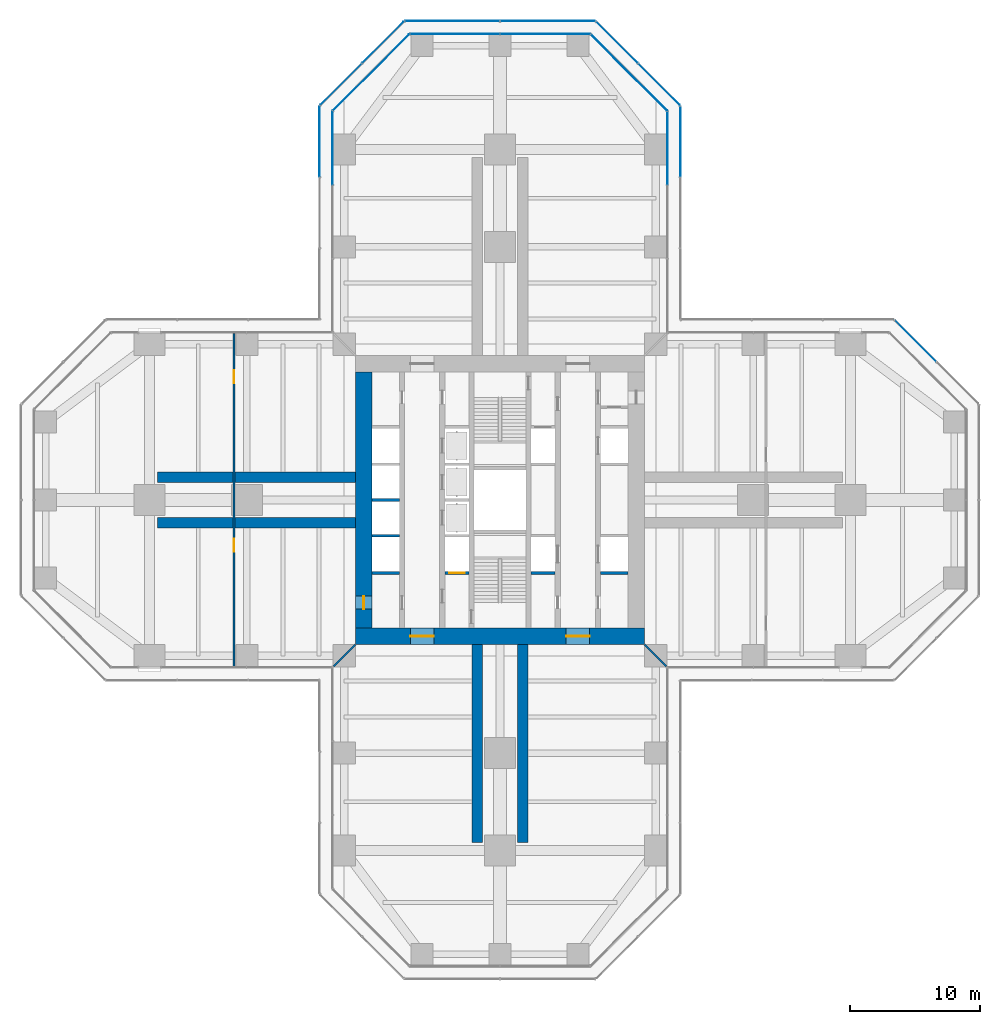
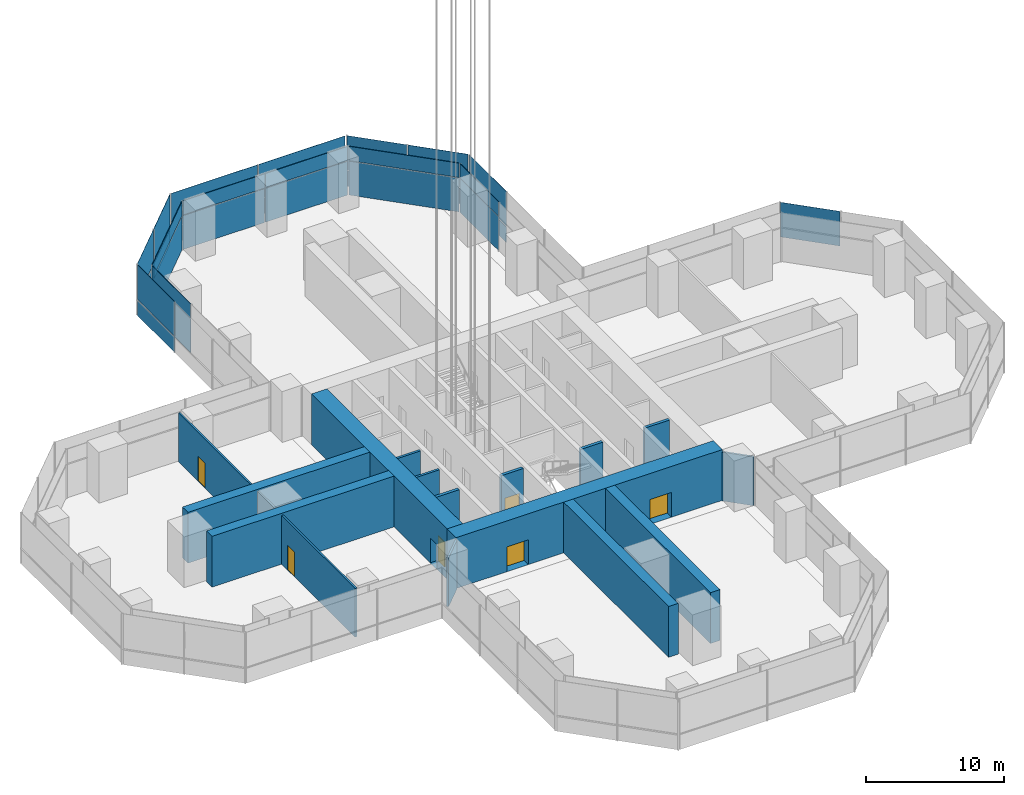
# One storey, part 16 of 27: 29 plates, 15 walls, 6 doors, 6 openings, 11 elements without a shape of their own.
"""IFC4 building model written with IfcOpenShell, lengths in metres."""

from ifc_helpers import new_model, si_unit, direction, frame, frame_2d, origin, origin_2d, place, context, subcontext, project, spatial, rectangle, extrude, material, layer, layer_set, type_object, element, fill, aggregate, save


model = new_model("IFC4")

# Units and contexts
model_context = context("Model", 3, precision=1e-05, world=origin(), true_north=direction((0.0, 1.0)))
body_context = subcontext(model_context, "Body", "Model", "MODEL_VIEW")
ifc_project = project(units=[si_unit("LENGTHUNIT", "METRE"), si_unit("AREAUNIT", "SQUARE_METRE"), si_unit("VOLUMEUNIT", "CUBIC_METRE"), si_unit("PLANEANGLEUNIT", "RADIAN"), si_unit("MASSUNIT", "GRAM", prefix="KILO")], contexts=[model_context])

# Site, building, storey
site_placement = place(None, origin())
site = spatial("IfcSite", under=ifc_project, at=site_placement, CompositionType="ELEMENT")
building_placement = place(site_placement, origin())
building = spatial("IfcBuilding", under=site, at=building_placement, Name="Mizan Broadcast Tower", CompositionType="ELEMENT")
storey_placement = place(building_placement, frame((0.0, 0.0, 113.699951171875)))
storey = spatial("IfcBuildingStorey", under=building, at=storey_placement, Name="L25", CompositionType="ELEMENT", Elevation=113.699951171875)

# Curtain wall, plate
ifc_material_1 = material(Name="Aluminium framed glazing", Category="aluminium")
curtain_wall_type_1 = type_object("IfcCurtainWallType", Name="INNER SKIN MID ZONE", PredefinedType="USERDEFINED", material=ifc_material_1)
curtain_wall_1_placement = place(storey_placement, origin())
curtain_wall_1 = element("IfcCurtainWall", 1, at=curtain_wall_1_placement, inside=storey, type_object=curtain_wall_type_1, Name="Inner skin mid zone L25 N side", ObjectType="INNER SKIN MID ZONE", PredefinedType="USERDEFINED")
ifc_material_2 = material(Name="Double glazing, clear low-e", Category="glass")
ifc_layer_1 = layer(ifc_material_2, 0.028076171875)
ifc_layer_set_1 = layer_set([ifc_layer_1], Name="Double glazing, clear low-e")
plate_type_1 = type_object("IfcPlateType", Name="INNER SKIN GLAZING UNIT", PredefinedType="CURTAIN_PANEL", material=ifc_layer_set_1)
plate_1_placement = place(storey_placement, frame((12.89990234375, 27.1005859375, 0.0), z_axis=(0.0, 0.0, 1.0), x_axis=(0.0, 1.0, 0.0)))
plate_1 = element("IfcPlate", 2, at=plate_1_placement, type_object=plate_type_1, Name="Inner skin mid zone L25 N side panel 3.1", PredefinedType="CURTAIN_PANEL", context=body_context, shape_type="SweptSolid", body=[
    extrude(rectangle(XDim=5.59619140625, YDim=0.028076171875, at=origin_2d()), origin(), (0.0, 0.0, 1.0), 3.0),
])

curtain_wall_2_placement = place(storey_placement, origin())
curtain_wall_2 = element("IfcCurtainWall", 3, at=curtain_wall_2_placement, inside=storey, type_object=curtain_wall_type_1, Name="Inner skin mid zone L25 N chamfer", ObjectType="INNER SKIN MID ZONE", PredefinedType="USERDEFINED")
plate_2_placement = place(storey_placement, frame((9.92919921875, 32.92919921875, 0.0), z_axis=(0.0, 0.0, 1.0), x_axis=(-0.707106781187, 0.707106781187, 0.0)))
plate_2 = element("IfcPlate", 4, at=plate_2_placement, type_object=plate_type_1, Name="Inner skin mid zone L25 N chamfer panel 1.1", PredefinedType="CURTAIN_PANEL", context=body_context, shape_type="SweptSolid", body=[
    extrude(rectangle(XDim=8.282470703125, YDim=0.028076171875, at=origin_2d()), origin(), (0.0, 0.0, 1.0), 3.0),
])

# Curtain wall, plates
curtain_wall_3_placement = place(storey_placement, origin())
curtain_wall_3 = element("IfcCurtainWall", 5, at=curtain_wall_3_placement, inside=storey, type_object=curtain_wall_type_1, Name="Inner skin mid zone L25 N end", ObjectType="INNER SKIN MID ZONE", PredefinedType="USERDEFINED")
plate_3_placement = place(storey_placement, frame((3.46435546875, 35.89990234375, 0.0), z_axis=(0.0, 0.0, 1.0), x_axis=(-1.0, 0.0, 0.0)))
plate_3 = element("IfcPlate", 6, at=plate_3_placement, type_object=plate_type_1, Name="Inner skin mid zone L25 N end panel 1.1", PredefinedType="CURTAIN_PANEL", context=body_context, shape_type="SweptSolid", body=[
    extrude(rectangle(XDim=6.86865234375, YDim=0.028076171875, at=origin_2d()), origin(), (0.0, 0.0, 1.0), 3.0),
])
plate_4_placement = place(storey_placement, frame((-3.46435546875, 35.89990234375, 0.0), z_axis=(0.0, 0.0, 1.0), x_axis=(-1.0, 0.0, 0.0)))
plate_4 = element("IfcPlate", 7, at=plate_4_placement, type_object=plate_type_1, Name="Inner skin mid zone L25 N end panel 2.1", PredefinedType="CURTAIN_PANEL", context=body_context, shape_type="SweptSolid", body=[
    extrude(rectangle(XDim=6.86865234375, YDim=0.028076171875, at=origin_2d()), origin(), (0.0, 0.0, 1.0), 3.0),
])

# Curtain wall, plate
curtain_wall_4_placement = place(storey_placement, origin())
curtain_wall_4 = element("IfcCurtainWall", 8, at=curtain_wall_4_placement, inside=storey, type_object=curtain_wall_type_1, Name="Inner skin mid zone L25 N chamfer", ObjectType="INNER SKIN MID ZONE", PredefinedType="USERDEFINED")
plate_5_placement = place(storey_placement, frame((-9.92919921875, 32.92919921875, 0.0), z_axis=(0.0, 0.0, 1.0), x_axis=(-0.707106781187, -0.707106781187, 0.0)))
plate_5 = element("IfcPlate", 9, at=plate_5_placement, type_object=plate_type_1, Name="Inner skin mid zone L25 N chamfer panel 1.1", PredefinedType="CURTAIN_PANEL", context=body_context, shape_type="SweptSolid", body=[
    extrude(rectangle(XDim=8.282470703125, YDim=0.028076171875, at=origin_2d()), origin(), (0.0, 0.0, 1.0), 3.0),
])

curtain_wall_5_placement = place(storey_placement, origin())
curtain_wall_5 = element("IfcCurtainWall", 10, at=curtain_wall_5_placement, inside=storey, type_object=curtain_wall_type_1, Name="Inner skin mid zone L25 N side", ObjectType="INNER SKIN MID ZONE", PredefinedType="USERDEFINED")
plate_6_placement = place(storey_placement, frame((-12.89990234375, 27.1005859375, 0.0), z_axis=(0.0, 0.0, 1.0), x_axis=(0.0, -1.0, 0.0)))
plate_6 = element("IfcPlate", 11, at=plate_6_placement, type_object=plate_type_1, Name="Inner skin mid zone L25 N side panel 1.1", PredefinedType="CURTAIN_PANEL", context=body_context, shape_type="SweptSolid", body=[
    extrude(rectangle(XDim=5.59619140625, YDim=0.028076171875, at=origin_2d()), origin(), (0.0, 0.0, 1.0), 3.0),
])

# Plate
ifc_material_3 = material(Name="Insulated aluminium spandrel panel, pale anodised", Category="aluminium")
ifc_layer_2 = layer(ifc_material_3, 0.050048828125)
ifc_layer_set_2 = layer_set([ifc_layer_2], Name="Insulated aluminium spandrel panel, pale anodised")
plate_type_2 = type_object("IfcPlateType", Name="INNER SKIN SPANDREL PANEL", PredefinedType="CURTAIN_PANEL", material=ifc_layer_set_2)
plate_7_placement = place(storey_placement, frame((12.89990234375, 27.1005859375, 3.06005859375), z_axis=(0.0, 0.0, 1.0), x_axis=(0.0, 1.0, 0.0)))
plate_7 = element("IfcPlate", 12, at=plate_7_placement, type_object=plate_type_2, Name="Inner skin mid zone L25 N side panel 3.2", PredefinedType="CURTAIN_PANEL", context=body_context, shape_type="SweptSolid", body=[
    extrude(rectangle(XDim=5.59619140625, YDim=0.050048828125, at=origin_2d()), origin(), (0.0, 0.0, 1.0), 1.260009765625),
])

aggregate(curtain_wall_1, [plate_1, plate_7])

plate_8_placement = place(storey_placement, frame((9.92919921875, 32.92919921875, 3.06005859375), z_axis=(0.0, 0.0, 1.0), x_axis=(-0.707106781187, 0.707106781187, 0.0)))
plate_8 = element("IfcPlate", 13, at=plate_8_placement, type_object=plate_type_2, Name="Inner skin mid zone L25 N chamfer panel 1.2", PredefinedType="CURTAIN_PANEL", context=body_context, shape_type="SweptSolid", body=[
    extrude(rectangle(XDim=8.282470703125, YDim=0.050048828125, at=origin_2d()), origin(), (0.0, 0.0, 1.0), 1.260009765625),
])

aggregate(curtain_wall_2, [plate_2, plate_8])

plate_9_placement = place(storey_placement, frame((3.46435546875, 35.89990234375, 3.06005859375), z_axis=(0.0, 0.0, 1.0), x_axis=(-1.0, 0.0, 0.0)))
plate_9 = element("IfcPlate", 14, at=plate_9_placement, type_object=plate_type_2, Name="Inner skin mid zone L25 N end panel 1.2", PredefinedType="CURTAIN_PANEL", context=body_context, shape_type="SweptSolid", body=[
    extrude(rectangle(XDim=6.86865234375, YDim=0.050048828125, at=origin_2d()), origin(), (0.0, 0.0, 1.0), 1.260009765625),
])

plate_10_placement = place(storey_placement, frame((-3.46435546875, 35.89990234375, 3.06005859375), z_axis=(0.0, 0.0, 1.0), x_axis=(-1.0, 0.0, 0.0)))
plate_10 = element("IfcPlate", 15, at=plate_10_placement, type_object=plate_type_2, Name="Inner skin mid zone L25 N end panel 2.2", PredefinedType="CURTAIN_PANEL", context=body_context, shape_type="SweptSolid", body=[
    extrude(rectangle(XDim=6.86865234375, YDim=0.050048828125, at=origin_2d()), origin(), (0.0, 0.0, 1.0), 1.260009765625),
])

aggregate(curtain_wall_3, [plate_3, plate_9, plate_4, plate_10])

plate_11_placement = place(storey_placement, frame((-9.92919921875, 32.92919921875, 3.06005859375), z_axis=(0.0, 0.0, 1.0), x_axis=(-0.707106781187, -0.707106781187, 0.0)))
plate_11 = element("IfcPlate", 16, at=plate_11_placement, type_object=plate_type_2, Name="Inner skin mid zone L25 N chamfer panel 1.2", PredefinedType="CURTAIN_PANEL", context=body_context, shape_type="SweptSolid", body=[
    extrude(rectangle(XDim=8.282470703125, YDim=0.050048828125, at=origin_2d()), origin(), (0.0, 0.0, 1.0), 1.260009765625),
])

aggregate(curtain_wall_4, [plate_5, plate_11])

plate_12_placement = place(storey_placement, frame((-12.89990234375, 27.1005859375, 3.06005859375), z_axis=(0.0, 0.0, 1.0), x_axis=(0.0, -1.0, 0.0)))
plate_12 = element("IfcPlate", 17, at=plate_12_placement, type_object=plate_type_2, Name="Inner skin mid zone L25 N side panel 1.2", PredefinedType="CURTAIN_PANEL", context=body_context, shape_type="SweptSolid", body=[
    extrude(rectangle(XDim=5.59619140625, YDim=0.050048828125, at=origin_2d()), origin(), (0.0, 0.0, 1.0), 1.260009765625),
])

aggregate(curtain_wall_5, [plate_6, plate_12])

# Curtain wall, plates
ifc_material_4 = material(Name="Aluminium framed glazing", Category="aluminium")
curtain_wall_type_2 = type_object("IfcCurtainWallType", Name="OUTER SKIN", PredefinedType="USERDEFINED", material=ifc_material_4)
curtain_wall_6_placement = place(storey_placement, origin())
curtain_wall_6 = element("IfcCurtainWall", 18, at=curtain_wall_6_placement, inside=storey, type_object=curtain_wall_type_2, Name="Outer skin L25 N side", ObjectType="OUTER SKIN", PredefinedType="USERDEFINED")
ifc_material_5 = material(Name="Laminated clear glass", Category="glass")
ifc_layer_3 = layer(ifc_material_5, 0.02001953125)
ifc_layer_set_3 = layer_set([ifc_layer_3], Name="Laminated clear glass")
plate_type_3 = type_object("IfcPlateType", Name="OUTER SKIN CLEAR GLASS", PredefinedType="CURTAIN_PANEL", material=ifc_layer_set_3)
plate_13_placement = place(storey_placement, frame((13.89990234375, 27.607421875, 0.0), z_axis=(0.0, 0.0, 1.0), x_axis=(0.0, 1.0, 0.0)))
plate_13 = element("IfcPlate", 19, at=plate_13_placement, type_object=plate_type_3, Name="Outer skin L25 N side panel 3.1", PredefinedType="CURTAIN_PANEL", context=body_context, shape_type="SweptSolid", body=[
    extrude(rectangle(XDim=5.370849609375, YDim=0.02001953125, at=origin_2d()), origin(), (0.0, 0.0, 1.0), 1.3701171875),
])
plate_14_placement = place(storey_placement, frame((13.89990234375, 27.607421875, 1.43017578125), z_axis=(0.0, 0.0, 1.0), x_axis=(0.0, 1.0, 0.0)))
plate_14 = element("IfcPlate", 20, at=plate_14_placement, type_object=plate_type_3, Name="Outer skin L25 N side panel 3.2", PredefinedType="CURTAIN_PANEL", context=body_context, shape_type="SweptSolid", body=[
    extrude(rectangle(XDim=5.370849609375, YDim=0.02001953125, at=origin_2d()), origin(), (0.0, 0.0, 1.0), 3.070068359375),
])
aggregate(curtain_wall_6, [plate_13, plate_14])

curtain_wall_7_placement = place(storey_placement, origin())
curtain_wall_7 = element("IfcCurtainWall", 21, at=curtain_wall_7_placement, inside=storey, type_object=curtain_wall_type_2, Name="Outer skin L25 N chamfer", ObjectType="OUTER SKIN", PredefinedType="USERDEFINED")
plate_15_placement = place(storey_placement, frame((12.254150390625, 32.018798828125, 0.0), z_axis=(0.0, 0.0, 1.0), x_axis=(-0.707106781187, 0.707106781187, 0.0)))
plate_15 = element("IfcPlate", 22, at=plate_15_placement, type_object=plate_type_3, Name="Outer skin L25 N chamfer panel 1.1", PredefinedType="CURTAIN_PANEL", context=body_context, shape_type="SweptSolid", body=[
    extrude(rectangle(XDim=4.495361328125, YDim=0.02001953125, at=origin_2d()), origin(), (0.0, 0.0, 1.0), 1.3701171875),
])
plate_16_placement = place(storey_placement, frame((12.254150390625, 32.018798828125, 1.43017578125), z_axis=(0.0, 0.0, 1.0), x_axis=(-0.707106781187, 0.707106781187, 0.0)))
plate_16 = element("IfcPlate", 23, at=plate_16_placement, type_object=plate_type_3, Name="Outer skin L25 N chamfer panel 1.2", PredefinedType="CURTAIN_PANEL", context=body_context, shape_type="SweptSolid", body=[
    extrude(rectangle(XDim=4.495361328125, YDim=0.02001953125, at=origin_2d()), origin(), (0.0, 0.0, 1.0), 3.070068359375),
])

curtain_wall_8_placement = place(storey_placement, origin())
curtain_wall_8 = element("IfcCurtainWall", 24, at=curtain_wall_8_placement, inside=storey, type_object=curtain_wall_type_2, Name="Outer skin L25 N end", ObjectType="OUTER SKIN", PredefinedType="USERDEFINED")
plate_17_placement = place(storey_placement, frame((3.66650390625, 36.89990234375, 0.0), z_axis=(0.0, 0.0, 1.0), x_axis=(-1.0, 0.0, 0.0)))
plate_17 = element("IfcPlate", 25, at=plate_17_placement, type_object=plate_type_3, Name="Outer skin L25 N end panel 1.1", PredefinedType="CURTAIN_PANEL", context=body_context, shape_type="SweptSolid", body=[
    extrude(rectangle(XDim=7.252685546875, YDim=0.02001953125, at=origin_2d()), origin(), (0.0, 0.0, 1.0), 1.3701171875),
])
plate_18_placement = place(storey_placement, frame((3.66650390625, 36.89990234375, 1.43017578125), z_axis=(0.0, 0.0, 1.0), x_axis=(-1.0, 0.0, 0.0)))
plate_18 = element("IfcPlate", 26, at=plate_18_placement, type_object=plate_type_3, Name="Outer skin L25 N end panel 1.2", PredefinedType="CURTAIN_PANEL", context=body_context, shape_type="SweptSolid", body=[
    extrude(rectangle(XDim=7.252685546875, YDim=0.02001953125, at=origin_2d()), origin(), (0.0, 0.0, 1.0), 3.070068359375),
])
plate_19_placement = place(storey_placement, frame((-3.66650390625, 36.89990234375, 0.0), z_axis=(0.0, 0.0, 1.0), x_axis=(-1.0, 0.0, 0.0)))
plate_19 = element("IfcPlate", 27, at=plate_19_placement, type_object=plate_type_3, Name="Outer skin L25 N end panel 2.1", PredefinedType="CURTAIN_PANEL", context=body_context, shape_type="SweptSolid", body=[
    extrude(rectangle(XDim=7.252685546875, YDim=0.02001953125, at=origin_2d()), origin(), (0.0, 0.0, 1.0), 1.3701171875),
])
plate_20_placement = place(storey_placement, frame((-3.66650390625, 36.89990234375, 1.43017578125), z_axis=(0.0, 0.0, 1.0), x_axis=(-1.0, 0.0, 0.0)))
plate_20 = element("IfcPlate", 28, at=plate_20_placement, type_object=plate_type_3, Name="Outer skin L25 N end panel 2.2", PredefinedType="CURTAIN_PANEL", context=body_context, shape_type="SweptSolid", body=[
    extrude(rectangle(XDim=7.252685546875, YDim=0.02001953125, at=origin_2d()), origin(), (0.0, 0.0, 1.0), 3.070068359375),
])
aggregate(curtain_wall_8, [plate_17, plate_18, plate_19, plate_20])

curtain_wall_9_placement = place(storey_placement, origin())
curtain_wall_9 = element("IfcCurtainWall", 29, at=curtain_wall_9_placement, inside=storey, type_object=curtain_wall_type_2, Name="Outer skin L25 N chamfer", ObjectType="OUTER SKIN", PredefinedType="USERDEFINED")
plate_21_placement = place(storey_placement, frame((-9.018798828125, 35.254150390625, 0.0), z_axis=(0.0, 0.0, 1.0), x_axis=(-0.707106781187, -0.707106781187, 0.0)))
plate_21 = element("IfcPlate", 30, at=plate_21_placement, type_object=plate_type_3, Name="Outer skin L25 N chamfer panel 1.1", PredefinedType="CURTAIN_PANEL", context=body_context, shape_type="SweptSolid", body=[
    extrude(rectangle(XDim=4.495361328125, YDim=0.02001953125, at=origin_2d()), origin(), (0.0, 0.0, 1.0), 1.3701171875),
])
plate_22_placement = place(storey_placement, frame((-9.018798828125, 35.254150390625, 1.43017578125), z_axis=(0.0, 0.0, 1.0), x_axis=(-0.707106781187, -0.707106781187, 0.0)))
plate_22 = element("IfcPlate", 31, at=plate_22_placement, type_object=plate_type_3, Name="Outer skin L25 N chamfer panel 1.2", PredefinedType="CURTAIN_PANEL", context=body_context, shape_type="SweptSolid", body=[
    extrude(rectangle(XDim=4.495361328125, YDim=0.02001953125, at=origin_2d()), origin(), (0.0, 0.0, 1.0), 3.070068359375),
])

curtain_wall_10_placement = place(storey_placement, origin())
curtain_wall_10 = element("IfcCurtainWall", 32, at=curtain_wall_10_placement, inside=storey, type_object=curtain_wall_type_2, Name="Outer skin L25 N side", ObjectType="OUTER SKIN", PredefinedType="USERDEFINED")
plate_23_placement = place(storey_placement, frame((-13.89990234375, 27.607421875, 0.0), z_axis=(0.0, 0.0, 1.0), x_axis=(0.0, -1.0, 0.0)))
plate_23 = element("IfcPlate", 33, at=plate_23_placement, type_object=plate_type_3, Name="Outer skin L25 N side panel 1.1", PredefinedType="CURTAIN_PANEL", context=body_context, shape_type="SweptSolid", body=[
    extrude(rectangle(XDim=5.370849609375, YDim=0.02001953125, at=origin_2d()), origin(), (0.0, 0.0, 1.0), 1.3701171875),
])
plate_24_placement = place(storey_placement, frame((-13.89990234375, 27.607421875, 1.43017578125), z_axis=(0.0, 0.0, 1.0), x_axis=(0.0, -1.0, 0.0)))
plate_24 = element("IfcPlate", 34, at=plate_24_placement, type_object=plate_type_3, Name="Outer skin L25 N side panel 1.2", PredefinedType="CURTAIN_PANEL", context=body_context, shape_type="SweptSolid", body=[
    extrude(rectangle(XDim=5.370849609375, YDim=0.02001953125, at=origin_2d()), origin(), (0.0, 0.0, 1.0), 3.070068359375),
])
aggregate(curtain_wall_10, [plate_23, plate_24])

# Curtain wall, plate
curtain_wall_11_placement = place(storey_placement, origin())
curtain_wall_11 = element("IfcCurtainWall", 35, at=curtain_wall_11_placement, inside=storey, type_object=curtain_wall_type_2, Name="Outer skin L25 E chamfer", ObjectType="OUTER SKIN", PredefinedType="USERDEFINED")
ifc_material_6 = material(Name="Perforated aluminium, pale anodised", Category="aluminium")
ifc_layer_4 = layer(ifc_material_6, 0.011962890625)
ifc_layer_set_4 = layer_set([ifc_layer_4], Name="Perforated aluminium, pale anodised")
plate_type_4 = type_object("IfcPlateType", Name="OUTER SKIN PERFORATED SCREEN", PredefinedType="USERDEFINED", material=ifc_layer_set_4)
plate_25_placement = place(storey_placement, frame((32.018798828125, 12.254150390625, 1.43017578125), z_axis=(0.0, 0.0, 1.0), x_axis=(-0.707106781187, 0.707106781187, 0.0)))
plate_25 = element("IfcPlate", 36, at=plate_25_placement, type_object=plate_type_4, Name="Outer skin L25 E chamfer panel 2.2", ObjectType="SCREEN", PredefinedType="USERDEFINED", context=body_context, shape_type="SweptSolid", body=[
    extrude(rectangle(XDim=4.495361328125, YDim=0.011962890625, at=origin_2d()), origin(), (0.0, 0.0, 1.0), 3.070068359375),
])
aggregate(curtain_wall_11, [plate_25])

# Plate
plate_26_placement = place(storey_placement, frame((9.018798828125, 35.254150390625, 0.0), z_axis=(0.0, 0.0, 1.0), x_axis=(-0.707106781187, 0.707106781187, 0.0)))
plate_26 = element("IfcPlate", 37, at=plate_26_placement, type_object=plate_type_4, Name="Outer skin L25 N chamfer panel 2.1", ObjectType="SCREEN", PredefinedType="USERDEFINED", context=body_context, shape_type="SweptSolid", body=[
    extrude(rectangle(XDim=4.495361328125, YDim=0.011962890625, at=origin_2d()), origin(), (0.0, 0.0, 1.0), 1.3701171875),
])

plate_27_placement = place(storey_placement, frame((9.018798828125, 35.254150390625, 1.43017578125), z_axis=(0.0, 0.0, 1.0), x_axis=(-0.707106781187, 0.707106781187, 0.0)))
plate_27 = element("IfcPlate", 38, at=plate_27_placement, type_object=plate_type_4, Name="Outer skin L25 N chamfer panel 2.2", ObjectType="SCREEN", PredefinedType="USERDEFINED", context=body_context, shape_type="SweptSolid", body=[
    extrude(rectangle(XDim=4.495361328125, YDim=0.011962890625, at=origin_2d()), origin(), (0.0, 0.0, 1.0), 3.070068359375),
])

aggregate(curtain_wall_7, [plate_15, plate_16, plate_26, plate_27])

plate_28_placement = place(storey_placement, frame((-12.254150390625, 32.018798828125, 0.0), z_axis=(0.0, 0.0, 1.0), x_axis=(-0.707106781187, -0.707106781187, 0.0)))
plate_28 = element("IfcPlate", 39, at=plate_28_placement, type_object=plate_type_4, Name="Outer skin L25 N chamfer panel 2.1", ObjectType="SCREEN", PredefinedType="USERDEFINED", context=body_context, shape_type="SweptSolid", body=[
    extrude(rectangle(XDim=4.495361328125, YDim=0.011962890625, at=origin_2d()), origin(), (0.0, 0.0, 1.0), 1.3701171875),
])

plate_29_placement = place(storey_placement, frame((-12.254150390625, 32.018798828125, 1.43017578125), z_axis=(0.0, 0.0, 1.0), x_axis=(-0.707106781187, -0.707106781187, 0.0)))
plate_29 = element("IfcPlate", 40, at=plate_29_placement, type_object=plate_type_4, Name="Outer skin L25 N chamfer panel 2.2", ObjectType="SCREEN", PredefinedType="USERDEFINED", context=body_context, shape_type="SweptSolid", body=[
    extrude(rectangle(XDim=4.495361328125, YDim=0.011962890625, at=origin_2d()), origin(), (0.0, 0.0, 1.0), 3.070068359375),
])

aggregate(curtain_wall_9, [plate_21, plate_22, plate_28, plate_29])

# Wall, openings, doors
ifc_material_7 = material(Name="Concrete C70/85", Category="concrete")
ifc_layer_5 = layer(ifc_material_7, 1.300048828125)
ifc_layer_set_5 = layer_set([ifc_layer_5], Name="Concrete C70/85")
wall_type_1 = type_object("IfcWallType", Name="CORE WALL 1300", PredefinedType="SHEAR", material=ifc_layer_set_5)
wall_1_placement = place(storey_placement, frame((11.14990234375, -10.5, 0.0), z_axis=(0.0, 0.0, 1.0), x_axis=(-1.0, 0.0, 0.0)))
wall_1 = element("IfcWall", 41, at=wall_1_placement, inside=storey, type_object=wall_type_1, Name="Core wall S L25", PredefinedType="SHEAR", context=body_context, shape_type="SweptSolid", body=[
    extrude(rectangle(XDim=22.2998046875, YDim=1.300048828125, at=frame_2d((11.14990234375, 0.0))), origin(), (0.0, 0.0, 1.0), 4.5),
])
opening_1_placement = place(wall_1_placement, frame((16.25, 0.0, 0.0)))
opening_1 = element("IfcOpeningElement", 42, at=opening_1_placement, cuts=wall_1, Name="Opening D18F", PredefinedType="OPENING", context=body_context, shape_type="SweptSolid", body=[
    extrude(rectangle(XDim=1.800048828125, YDim=2.199951171875, at=frame_2d((0.89990234375, 1.10009765625))), frame((0.0, 0.659912109375, 0.0), z_axis=(0.0, -1.0, 0.0), x_axis=(1.0, 0.0, 0.0)), (0.0, 0.0, 1.0), 1.320068359375),
])
opening_2_placement = place(wall_1_placement, frame((4.25, 0.0, 0.0)))
opening_2 = element("IfcOpeningElement", 43, at=opening_2_placement, cuts=wall_1, Name="Opening D18F", PredefinedType="OPENING", context=body_context, shape_type="SweptSolid", body=[
    extrude(rectangle(XDim=1.800048828125, YDim=2.199951171875, at=frame_2d((0.89990234375, 1.10009765625))), frame((0.0, 0.659912109375, 0.0), z_axis=(0.0, -1.0, 0.0), x_axis=(1.0, 0.0, 0.0)), (0.0, 0.0, 1.0), 1.320068359375),
])
ifc_material_8 = material(Name="Steel door leaf in steel frame", Category="steel")
door_type_1 = type_object("IfcDoorType", Name="LOBBY DOUBLE DOOR 1800 FD90", OperationType="DOUBLE_DOOR_DOUBLE_SWING", PredefinedType="DOOR", material=ifc_material_8)
door_1_placement = place(opening_1_placement, origin())
door_1 = element("IfcDoor", 44, at=door_1_placement, inside=storey, type_object=door_type_1, Name="West lift lobby south door", OperationType="DOUBLE_DOOR_DOUBLE_SWING", OverallHeight=2.199951171875, OverallWidth=1.800048828125, PredefinedType="DOOR", context=body_context, shape_type="SweptSolid", body=[
    extrude(rectangle(XDim=1.800048828125, YDim=2.199951171875, at=frame_2d((0.89990234375, 1.10009765625))), frame((0.0, 0.02490234375, 0.0), z_axis=(0.0, -1.0, 0.0), x_axis=(1.0, 0.0, 0.0)), (0.0, 0.0, 1.0), 0.050048828125),
])
fill(opening_1, door_1)
door_2_placement = place(opening_2_placement, origin())
door_2 = element("IfcDoor", 45, at=door_2_placement, inside=storey, type_object=door_type_1, Name="East lift lobby south door", OperationType="DOUBLE_DOOR_DOUBLE_SWING", OverallHeight=2.199951171875, OverallWidth=1.800048828125, PredefinedType="DOOR", context=body_context, shape_type="SweptSolid", body=[
    extrude(rectangle(XDim=1.800048828125, YDim=2.199951171875, at=frame_2d((0.89990234375, 1.10009765625))), frame((0.0, 0.02490234375, 0.0), z_axis=(0.0, -1.0, 0.0), x_axis=(1.0, 0.0, 0.0)), (0.0, 0.0, 1.0), 0.050048828125),
])
fill(opening_2, door_2)

# Wall, opening, door
wall_2_placement = place(storey_placement, frame((-10.5, 9.85009765625, 0.0), z_axis=(0.0, 0.0, 1.0), x_axis=(0.0, -1.0, 0.0)))
wall_2 = element("IfcWall", 46, at=wall_2_placement, inside=storey, type_object=wall_type_1, Name="Core wall W L25", PredefinedType="SHEAR", context=body_context, shape_type="SweptSolid", body=[
    extrude(rectangle(XDim=19.7001953125, YDim=1.300048828125, at=frame_2d((9.85009765625, 0.0))), origin(), (0.0, 0.0, 1.0), 4.5),
])
opening_3_placement = place(wall_2_placement, frame((17.25, 0.0, 0.0)))
opening_3 = element("IfcOpeningElement", 47, at=opening_3_placement, cuts=wall_2, Name="Opening D10F", PredefinedType="OPENING", context=body_context, shape_type="SweptSolid", body=[
    extrude(rectangle(XDim=1.0, YDim=2.199951171875, at=frame_2d((0.5, 1.10009765625))), frame((0.0, 0.659912109375, 0.0), z_axis=(0.0, -1.0, 0.0), x_axis=(1.0, 0.0, 0.0)), (0.0, 0.0, 1.0), 1.320068359375),
])
ifc_material_9 = material(Name="Steel door leaf in steel frame", Category="steel")
door_type_2 = type_object("IfcDoorType", Name="FIRE DOOR 1000 FD90", OperationType="SINGLE_SWING_LEFT", PredefinedType="DOOR", material=ifc_material_9)
door_3_placement = place(opening_3_placement, origin())
door_3 = element("IfcDoor", 48, at=door_3_placement, inside=storey, type_object=door_type_2, Name="West core passage arm door", OperationType="SINGLE_SWING_RIGHT", OverallHeight=2.199951171875, OverallWidth=1.0, PredefinedType="DOOR", context=body_context, shape_type="SweptSolid", body=[
    extrude(rectangle(XDim=1.0, YDim=2.199951171875, at=frame_2d((0.5, 1.10009765625))), frame((0.0, 0.02490234375, 0.0), z_axis=(0.0, -1.0, 0.0), x_axis=(1.0, 0.0, 0.0)), (0.0, 0.0, 1.0), 0.050048828125),
])
fill(opening_3, door_3)

# Walls
ifc_material_10 = material(Name="Concrete blockwork", Category="masonry")
ifc_layer_6 = layer(ifc_material_10, 0.199951171875)
ifc_layer_set_6 = layer_set([ifc_layer_6], Name="Concrete blockwork")
wall_type_2 = type_object("IfcWallType", Name="LIFT SHAFT WALL 200", PredefinedType="SOLIDWALL", material=ifc_layer_set_6)
for number, where, z_axis, x_axis, name in (
    (49, (-9.85009765625, -2.75, 0.0), (0.0, 0.0, 1.0), (1.0, 0.0, 0.0), "Lift shaft wall CORE/SW1-1"),
    (50, (-9.85009765625, 0.0, 0.0), (0.0, 0.0, 1.0), (1.0, 0.0, 0.0), "Lift shaft wall CORE/SW1-2"),
):
    element("IfcWall", number, at=place(storey_placement, frame(where, z_axis=z_axis, x_axis=x_axis)), inside=storey, type_object=wall_type_2, Name=name, PredefinedType="SOLIDWALL", context=body_context, shape_type="SweptSolid", body=[
        extrude(rectangle(XDim=2.10009765625, YDim=0.199951171875, at=frame_2d((1.050048828125, 0.0))), origin(), (0.0, 0.0, 1.0), 4.300048828125),
    ])
ifc_material_11 = material(Name="Concrete blockwork", Category="masonry")
ifc_layer_7 = layer(ifc_material_11, 0.25)
ifc_layer_set_7 = layer_set([ifc_layer_7], Name="Concrete blockwork")
wall_type_3 = type_object("IfcWallType", Name="LOBBY ENCLOSURE WALL 250", PredefinedType="SOLIDWALL", material=ifc_layer_set_7)
wall_3_placement = place(storey_placement, frame((-9.85009765625, -5.625, 0.0), z_axis=(0.0, 0.0, 1.0), x_axis=(1.0, 0.0, 0.0)))
element("IfcWall", 51, at=wall_3_placement, inside=storey, type_object=wall_type_3, Name="Lobby enclosure wall CORE/BW1S", PredefinedType="SOLIDWALL", context=body_context, shape_type="SweptSolid", body=[
    extrude(rectangle(XDim=2.10009765625, YDim=0.25, at=frame_2d((1.050048828125, 0.0))), origin(), (0.0, 0.0, 1.0), 4.300048828125),
])

# Wall, opening, door
wall_4_placement = place(storey_placement, frame((-4.25, -5.625, 0.0), z_axis=(0.0, 0.0, 1.0), x_axis=(1.0, 0.0, 0.0)))
wall_4 = element("IfcWall", 52, at=wall_4_placement, inside=storey, type_object=wall_type_3, Name="Lobby enclosure wall CORE/BW2S", PredefinedType="SOLIDWALL", context=body_context, shape_type="SweptSolid", body=[
    extrude(rectangle(XDim=1.85009765625, YDim=0.25, at=frame_2d((0.925048828125, 0.0))), origin(), (0.0, 0.0, 1.0), 4.300048828125),
])
opening_4_placement = place(wall_4_placement, frame((0.324951171875, 0.0, 0.0)))
opening_4 = element("IfcOpeningElement", 53, at=opening_4_placement, cuts=wall_4, Name="Opening LDF", PredefinedType="OPENING", context=body_context, shape_type="SweptSolid", body=[
    extrude(rectangle(XDim=1.199951171875, YDim=2.199951171875, at=frame_2d((0.60009765625, 1.10009765625))), frame((0.0, 0.135009765625, 0.0), z_axis=(0.0, -1.0, 0.0), x_axis=(1.0, 0.0, 0.0)), (0.0, 0.0, 1.0), 0.27001953125),
])
ifc_material_12 = material(Name="Steel door leaf in steel frame", Category="steel")
door_type_3 = type_object("IfcDoorType", Name="FIREFIGHTING LIFT LANDING DOOR 1200", OperationType="SLIDING_TO_LEFT", PredefinedType="DOOR", material=ifc_material_12)
door_4_placement = place(opening_4_placement, origin())
door_4 = element("IfcDoor", 54, at=door_4_placement, inside=storey, type_object=door_type_3, Name="Landing door FF1", OperationType="SLIDING_TO_LEFT", OverallHeight=2.199951171875, OverallWidth=1.199951171875, PredefinedType="DOOR", context=body_context, shape_type="SweptSolid", body=[
    extrude(rectangle(XDim=1.199951171875, YDim=2.199951171875, at=frame_2d((0.60009765625, 1.10009765625))), frame((0.0, 0.02490234375, 0.0), z_axis=(0.0, -1.0, 0.0), x_axis=(1.0, 0.0, 0.0)), (0.0, 0.0, 1.0), 0.050048828125),
])
fill(opening_4, door_4)

# Walls
wall_5_placement = place(storey_placement, frame((2.39990234375, -5.625, 0.0), z_axis=(0.0, 0.0, 1.0), x_axis=(1.0, 0.0, 0.0)))
element("IfcWall", 55, at=wall_5_placement, inside=storey, type_object=wall_type_3, Name="Lobby enclosure wall CORE/BE2S", PredefinedType="SOLIDWALL", context=body_context, shape_type="SweptSolid", body=[
    extrude(rectangle(XDim=1.85009765625, YDim=0.25, at=frame_2d((0.925048828125, 0.0))), origin(), (0.0, 0.0, 1.0), 4.300048828125),
])
wall_6_placement = place(storey_placement, frame((7.75, -5.625, 0.0), z_axis=(0.0, 0.0, 1.0), x_axis=(1.0, 0.0, 0.0)))
element("IfcWall", 56, at=wall_6_placement, inside=storey, type_object=wall_type_3, Name="Lobby enclosure wall CORE/BE1S", PredefinedType="SOLIDWALL", context=body_context, shape_type="SweptSolid", body=[
    extrude(rectangle(XDim=2.10009765625, YDim=0.25, at=frame_2d((1.050048828125, 0.0))), origin(), (0.0, 0.0, 1.0), 4.300048828125),
])

# Wall, openings, doors
ifc_material_13 = material(Name="Gypsum board on steel studs", Category="steel")
ifc_layer_8 = layer(ifc_material_13, 0.14990234375)
ifc_layer_set_8 = layer_set([ifc_layer_8], Name="Gypsum board on steel studs")
wall_type_4 = type_object("IfcWallType", Name="PARTITION 150", PredefinedType="PARTITIONING", material=ifc_layer_set_8)
wall_7_placement = place(storey_placement, frame((-20.5, 12.820068359375, 0.0), z_axis=(0.0, 0.0, 1.0), x_axis=(0.0, -1.0, 0.0)))
wall_7 = element("IfcWall", 57, at=wall_7_placement, inside=storey, type_object=wall_type_4, Name="Partition PT/WX1", PredefinedType="PARTITIONING", context=body_context, shape_type="SweptSolid", body=[
    extrude(rectangle(XDim=25.64013671875, YDim=0.14990234375, at=frame_2d((12.820068359375, 0.0))), origin(), (0.0, 0.0, 1.0), 4.320068359375),
])
opening_5_placement = place(wall_7_placement, frame((15.820068359375, 0.0, 0.0)))
opening_5 = element("IfcOpeningElement", 58, at=opening_5_placement, cuts=wall_7, Name="Opening D10", PredefinedType="OPENING", context=body_context, shape_type="SweptSolid", body=[
    extrude(rectangle(XDim=1.0, YDim=2.199951171875, at=frame_2d((0.5, 1.10009765625))), frame((0.0, 0.0849609375, 0.0), z_axis=(0.0, -1.0, 0.0), x_axis=(1.0, 0.0, 0.0)), (0.0, 0.0, 1.0), 0.169921875),
])
opening_6_placement = place(wall_7_placement, frame((2.820068359375, 0.0, 0.0)))
opening_6 = element("IfcOpeningElement", 59, at=opening_6_placement, cuts=wall_7, Name="Opening D10", PredefinedType="OPENING", context=body_context, shape_type="SweptSolid", body=[
    extrude(rectangle(XDim=1.0, YDim=2.199951171875, at=frame_2d((0.5, 1.10009765625))), frame((0.0, 0.0849609375, 0.0), z_axis=(0.0, -1.0, 0.0), x_axis=(1.0, 0.0, 0.0)), (0.0, 0.0, 1.0), 0.169921875),
])
ifc_material_14 = material(Name="Timber door leaf in aluminium frame", Category="wood")
door_type_4 = type_object("IfcDoorType", Name="ROOM DOOR 1000", OperationType="SINGLE_SWING_LEFT", PredefinedType="DOOR", material=ifc_material_14)
door_5_placement = place(opening_5_placement, origin())
door_5 = element("IfcDoor", 60, at=door_5_placement, inside=storey, type_object=door_type_4, Name="Business library door", OperationType="SINGLE_SWING_RIGHT", OverallHeight=2.199951171875, OverallWidth=1.0, PredefinedType="DOOR", context=body_context, shape_type="SweptSolid", body=[
    extrude(rectangle(XDim=1.0, YDim=2.199951171875, at=frame_2d((0.5, 1.10009765625))), frame((0.0, 0.02490234375, 0.0), z_axis=(0.0, -1.0, 0.0), x_axis=(1.0, 0.0, 0.0)), (0.0, 0.0, 1.0), 0.050048828125),
])
fill(opening_5, door_5)
door_6_placement = place(opening_6_placement, origin())
door_6 = element("IfcDoor", 61, at=door_6_placement, inside=storey, type_object=door_type_4, Name="Business library door", OperationType="SINGLE_SWING_LEFT", OverallHeight=2.199951171875, OverallWidth=1.0, PredefinedType="DOOR", context=body_context, shape_type="SweptSolid", body=[
    extrude(rectangle(XDim=1.0, YDim=2.199951171875, at=frame_2d((0.5, 1.10009765625))), frame((0.0, 0.02490234375, 0.0), z_axis=(0.0, -1.0, 0.0), x_axis=(1.0, 0.0, 0.0)), (0.0, 0.0, 1.0), 0.050048828125),
])
fill(opening_6, door_6)

# Walls
for number, where, z_axis, x_axis, name in (
    (62, (-11.14990234375, -11.14990234375, 0.0), (0.0, 0.0, 1.0), (-0.707106781187, -0.707106781187, 0.0), "Partition PT/DGWS"),
    (63, (11.14990234375, -11.14990234375, 0.0), (0.0, 0.0, 1.0), (0.707106781187, -0.707106781187, 0.0), "Partition PT/DGES"),
):
    element("IfcWall", number, at=place(storey_placement, frame(where, z_axis=z_axis, x_axis=x_axis)), inside=storey, type_object=wall_type_4, Name=name, PredefinedType="PARTITIONING", context=body_context, shape_type="SweptSolid", body=[
        extrude(rectangle(XDim=2.362060546875, YDim=0.14990234375, at=frame_2d((1.18115234375, 0.0))), origin(), (0.0, 0.0, 1.0), 4.320068359375),
    ])
ifc_material_15 = material(Name="Concrete C70/85", Category="concrete")
ifc_layer_9 = layer(ifc_material_15, 0.800048828125)
ifc_layer_set_9 = layer_set([ifc_layer_9], Name="Concrete C70/85")
wall_type_5 = type_object("IfcWallType", Name="SPINE WALL 800", PredefinedType="SHEAR", material=ifc_layer_set_9)
for number, where, z_axis, x_axis, name in (
    (64, (-11.14990234375, 1.75, 0.0), (0.0, 0.0, 1.0), (-1.0, 0.0, 0.0), "Spine wall WR L25"),
    (65, (-11.14990234375, -1.75, 0.0), (0.0, 0.0, 1.0), (-1.0, 0.0, 0.0), "Spine wall WL L25"),
    (66, (-1.75, -11.14990234375, 0.0), (0.0, 0.0, 1.0), (0.0, -1.0, 0.0), "Spine wall SR L25"),
    (67, (1.75, -11.14990234375, 0.0), (0.0, 0.0, 1.0), (0.0, -1.0, 0.0), "Spine wall SL L25"),
):
    element("IfcWall", number, at=place(storey_placement, frame(where, z_axis=z_axis, x_axis=x_axis)), inside=storey, type_object=wall_type_5, Name=name, PredefinedType="SHEAR", context=body_context, shape_type="SweptSolid", body=[
        extrude(rectangle(XDim=15.25, YDim=0.800048828125, at=frame_2d((7.625, 0.0))), origin(), (0.0, 0.0, 1.0), 4.5),
    ])

save(model, "model.ifc")
